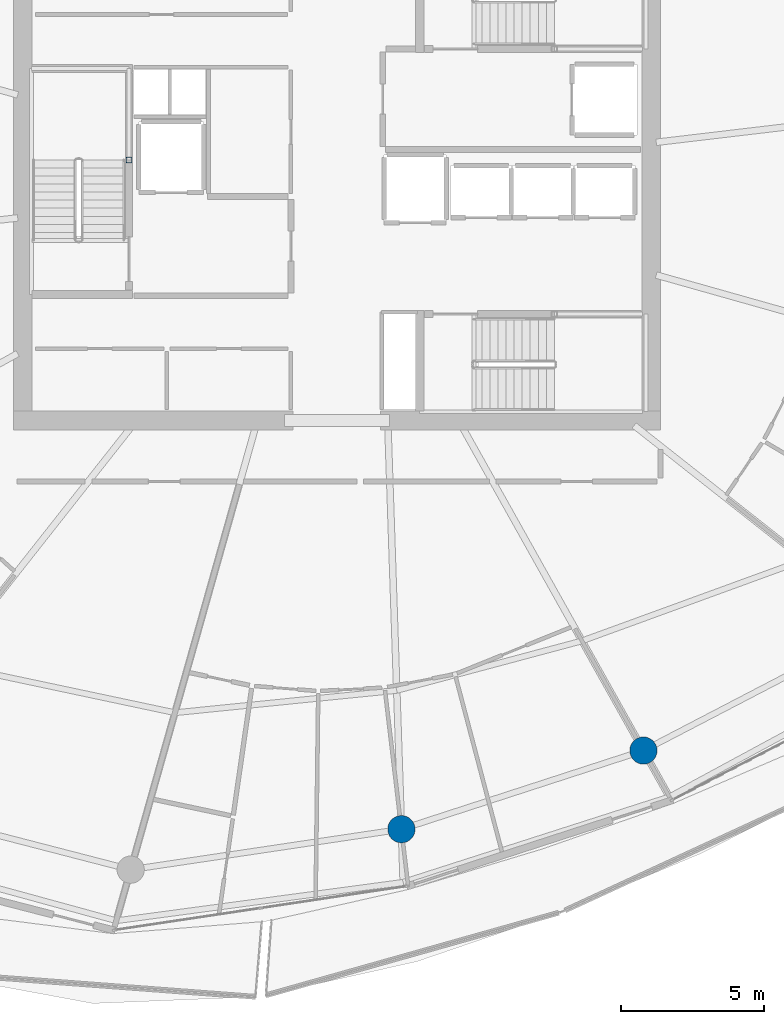
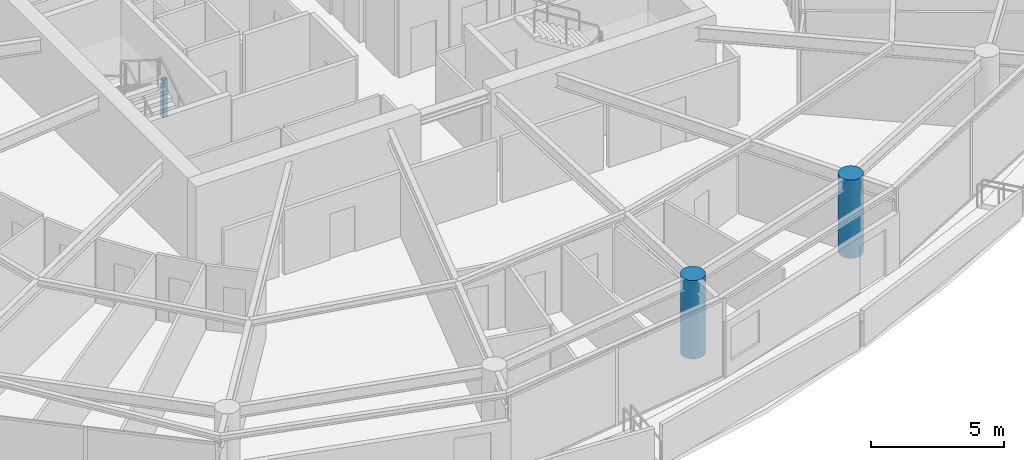
# One storey, part 2 of 30: 3 columns.
"""IFC4 building model written with IfcOpenShell, lengths in metres."""

from ifc_helpers import new_model, si_unit, direction, frame, origin, origin_2d, place, context, subcontext, project, spatial, hollow_rectangle, circle, extrude, material, material_profile, profile_set, type_object, element, save


model = new_model("IFC4")

# Units and contexts
model_context = context("Model", 3, precision=1e-05, world=origin(), true_north=direction((0.0, 1.0)))
body_context = subcontext(model_context, "Body", "Model", "MODEL_VIEW")
ifc_project = project(units=[si_unit("LENGTHUNIT", "METRE"), si_unit("AREAUNIT", "SQUARE_METRE"), si_unit("VOLUMEUNIT", "CUBIC_METRE"), si_unit("PLANEANGLEUNIT", "RADIAN"), si_unit("MASSUNIT", "GRAM", prefix="KILO")], contexts=[model_context])

# Site, building, storey
site_placement = place(None, origin())
site = spatial("IfcSite", under=ifc_project, at=site_placement, CompositionType="ELEMENT")
building_placement = place(site_placement, origin())
building = spatial("IfcBuilding", under=site, at=building_placement, Name="Kazma Halo Residences", CompositionType="ELEMENT")
storey_placement = place(building_placement, frame((0.0, 0.0, 267.5)))
storey = spatial("IfcBuildingStorey", under=building, at=storey_placement, Name="L67", CompositionType="ELEMENT", Elevation=267.5)

# Columns
ifc_material_1 = material(Name="Steel S355", Category="steel")
ifc_material_profile_1 = material_profile(ifc_material_1, hollow_rectangle(XDim=0.199951171875, YDim=0.199951171875, WallThickness=0.010009765625, InnerFilletRadius=0.010009765625, OuterFilletRadius=0.02001953125, at=origin_2d()), Name="SHS200x200x10")
ifc_profile_set_1 = profile_set([ifc_material_profile_1], Name="Steel S355")
column_type_1 = type_object("IfcColumnType", Name="COL-LP-SHS200", PredefinedType="COLUMN", material=ifc_profile_set_1)
column_placement = place(storey_placement, frame((41.179931640625, 42.75, 0.0), z_axis=(0.0, 0.0, 1.0), x_axis=(1.0, 0.0, 0.0)))
element("IfcColumn", 1, at=column_placement, inside=storey, type_object=column_type_1, Name="L67 ST-01 landing pilaster 1", PredefinedType="COLUMN", context=body_context, shape_type="SweptSolid", body=[
    extrude(hollow_rectangle(XDim=0.199951171875, YDim=0.199951171875, WallThickness=0.010009765625, InnerFilletRadius=0.010009765625, OuterFilletRadius=0.02001953125, at=origin_2d()), origin(), (0.0, 0.0, 1.0), 1.719970703125),
])
ifc_material_2 = material(Name="Concrete C60/75", Category="concrete")
ifc_material_profile_2 = material_profile(ifc_material_2, circle(Radius=0.47509765625, at=origin_2d()), Name="CIRC950")
ifc_profile_set_2 = profile_set([ifc_material_profile_2], Name="Concrete C60/75")
column_type_2 = type_object("IfcColumnType", Name="COL-PERIM-950", PredefinedType="COLUMN", material=ifc_profile_set_2)
for number, where, z_axis, x_axis, name in (
    (2, (50.67138671875, 19.42919921875, 0.0), (0.0, 0.0, 1.0), (1.0, 0.0, 0.0), "L67 perimeter ring column P12"),
    (3, (59.10546875, 22.169677734375, 0.0), (0.0, 0.0, 1.0), (1.0, 0.0, 0.0), "L67 perimeter ring column P13"),
):
    element("IfcColumn", number, at=place(storey_placement, frame(where, z_axis=z_axis, x_axis=x_axis)), inside=storey, type_object=column_type_2, Name=name, PredefinedType="COLUMN", context=body_context, shape_type="SweptSolid", body=[
        extrude(circle(Radius=0.47509765625, at=origin_2d()), origin(), (0.0, 0.0, 1.0), 3.590087890625),
    ])

save(model, "model.ifc")
